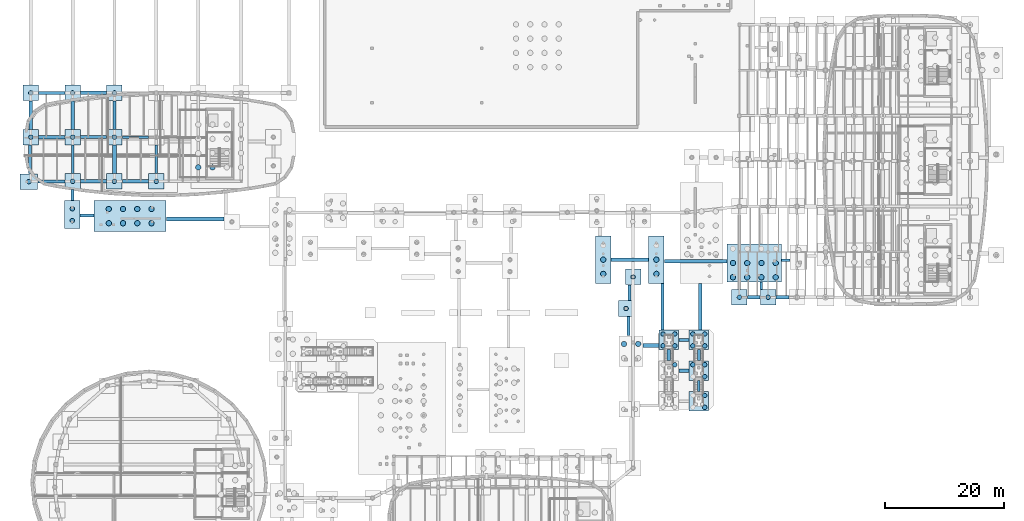
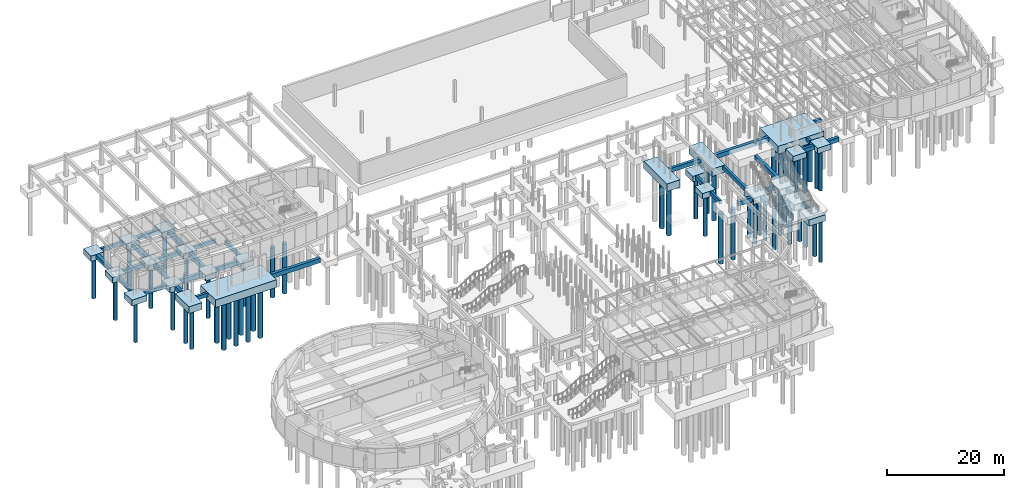
# One storey, part 4 of 45: 57 footings, 54 piles.
"""IFC4 building model written with IfcOpenShell, lengths in metres."""

from ifc_helpers import new_model, si_unit, direction, frame, origin, origin_2d, place, context, subcontext, project, spatial, rectangle, circle, extrude, material, material_profile, profile_set, type_object, element, save


model = new_model("IFC4")

# Units and contexts
model_context = context("Model", 3, precision=1e-05, world=origin(), true_north=direction((0.0, 1.0)))
body_context = subcontext(model_context, "Body", "Model", "MODEL_VIEW")
ifc_project = project(units=[si_unit("LENGTHUNIT", "METRE"), si_unit("AREAUNIT", "SQUARE_METRE"), si_unit("VOLUMEUNIT", "CUBIC_METRE"), si_unit("PLANEANGLEUNIT", "RADIAN"), si_unit("MASSUNIT", "GRAM", prefix="KILO")], contexts=[model_context])

# Site, building, storey
site_placement = place(None, origin())
site = spatial("IfcSite", under=ifc_project, at=site_placement, CompositionType="ELEMENT")
building_placement = place(site_placement, origin())
building = spatial("IfcBuilding", under=site, at=building_placement, Name="Corveleigh Park Community Centre", CompositionType="ELEMENT")
storey_placement = place(building_placement, frame((0.0, 0.0, -4.199951171875)))
storey = spatial("IfcBuildingStorey", under=building, at=storey_placement, Name="B1", CompositionType="ELEMENT", Elevation=-4.199951171875)

# Footings
ifc_material_1 = material(Name="Concrete C40/50", Category="concrete")
footing_type_1 = type_object("IfcFootingType", Name="FTG-GB-450x750", PredefinedType="FOOTING_BEAM", material=ifc_material_1)
footing_1_placement = place(storey_placement, frame((14.625, 77.97900390625, -1.1650390625), z_axis=(0.0, 0.0, 1.0), x_axis=(1.0, 0.0, 0.0)))
element("IfcFooting", 1, at=footing_1_placement, inside=storey, type_object=footing_type_1, Name="Ground tie beam 1", PredefinedType="FOOTING_BEAM", context=body_context, shape_type="SweptSolid", body=[
    extrude(rectangle(XDim=4.510009765625, YDim=0.449951171875, at=origin_2d()), origin(), (0.0, 0.0, 1.0), 0.75),
])
footing_2_placement = place(storey_placement, frame((14.699951171875, 92.800048828125, -1.1650390625), z_axis=(0.0, 0.0, 1.0), x_axis=(1.0, 0.0, 0.0)))
element("IfcFooting", 2, at=footing_2_placement, inside=storey, type_object=footing_type_1, Name="Ground tie beam 5", PredefinedType="FOOTING_BEAM", context=body_context, shape_type="SweptSolid", body=[
    extrude(rectangle(XDim=4.360107421875, YDim=0.449951171875, at=origin_2d()), origin(), (0.0, 0.0, 1.0), 0.75),
])
footing_3_placement = place(storey_placement, frame((18.199951171875, 81.699951171875, -1.1650390625), z_axis=(0.0, 0.0, 1.0), x_axis=(1.0, 0.0, 0.0)))
element("IfcFooting", 3, at=footing_3_placement, inside=storey, type_object=footing_type_1, Name="Ground tie beam 17", PredefinedType="FOOTING_BEAM", context=body_context, shape_type="SweptSolid", body=[
    extrude(rectangle(XDim=0.449951171875, YDim=4.760009765625, at=origin_2d()), origin(), (0.0, 0.0, 1.0), 0.75),
])
footing_4_placement = place(storey_placement, frame((28.699951171875, 85.39990234375, -1.1650390625), z_axis=(0.0, 0.0, 1.0), x_axis=(1.0, 0.0, 0.0)))
element("IfcFooting", 4, at=footing_4_placement, inside=storey, type_object=footing_type_1, Name="Ground tie beam 29", PredefinedType="FOOTING_BEAM", context=body_context, shape_type="SweptSolid", body=[
    extrude(rectangle(XDim=4.360107421875, YDim=0.449951171875, at=origin_2d()), origin(), (0.0, 0.0, 1.0), 0.75),
])
footing_5_placement = place(storey_placement, frame((32.199951171875, 81.699951171875, -1.1650390625), z_axis=(0.0, 0.0, 1.0), x_axis=(1.0, 0.0, 0.0)))
element("IfcFooting", 5, at=footing_5_placement, inside=storey, type_object=footing_type_1, Name="Ground tie beam 37", PredefinedType="FOOTING_BEAM", context=body_context, shape_type="SweptSolid", body=[
    extrude(rectangle(XDim=0.449951171875, YDim=4.760009765625, at=origin_2d()), origin(), (0.0, 0.0, 1.0), 0.75),
])
footing_6_placement = place(storey_placement, frame((111.24609375, 53.7880859375, -1.1650390625), z_axis=(0.0, 0.0, 1.0), x_axis=(1.0, 0.0, 0.0)))
element("IfcFooting", 6, at=footing_6_placement, inside=storey, type_object=footing_type_1, Name="Ground tie beam 133", PredefinedType="FOOTING_BEAM", context=body_context, shape_type="SweptSolid", body=[
    extrude(rectangle(XDim=0.449951171875, YDim=3.236083984375, at=origin_2d()), origin(), (0.0, 0.0, 1.0), 0.75),
])
footing_7_placement = place(storey_placement, frame((120.5, 51.465087890625, -1.1650390625), z_axis=(0.0, 0.0, 1.0), x_axis=(1.0, 0.0, 0.0)))
element("IfcFooting", 7, at=footing_7_placement, inside=storey, type_object=footing_type_1, Name="Ground tie beam 141", PredefinedType="FOOTING_BEAM", context=body_context, shape_type="SweptSolid", body=[
    extrude(rectangle(XDim=1.699951171875, YDim=0.449951171875, at=origin_2d()), origin(), (0.0, 0.0, 1.0), 0.75),
])
footing_8_placement = place(storey_placement, frame((123.0, 43.739990234375, -1.1650390625), z_axis=(0.0, 0.0, 1.0), x_axis=(1.0, 0.0, 0.0)))
element("IfcFooting", 8, at=footing_8_placement, inside=storey, type_object=footing_type_1, Name="Ground tie beam 145", PredefinedType="FOOTING_BEAM", context=body_context, shape_type="SweptSolid", body=[
    extrude(rectangle(XDim=0.449951171875, YDim=1.840087890625, at=origin_2d()), origin(), (0.0, 0.0, 1.0), 0.75),
])
footing_9_placement = place(storey_placement, frame((137.537109375, 64.822021484375, -1.1650390625), z_axis=(0.0, 0.0, 1.0), x_axis=(1.0, 0.0, 0.0)))
element("IfcFooting", 9, at=footing_9_placement, inside=storey, type_object=footing_type_1, Name="Ground tie beam 149", PredefinedType="FOOTING_BEAM", context=body_context, shape_type="SweptSolid", body=[
    extrude(rectangle(XDim=1.386962890625, YDim=0.449951171875, at=origin_2d()), origin(), (0.0, 0.0, 1.0), 0.75),
])
footing_10_placement = place(storey_placement, frame((133.445068359375, 60.531982421875, -1.1650390625), z_axis=(0.0, 0.0, 1.0), x_axis=(1.0, 0.0, 0.0)))
element("IfcFooting", 10, at=footing_10_placement, inside=storey, type_object=footing_type_1, Name="Ground tie beam 157", PredefinedType="FOOTING_BEAM", context=body_context, shape_type="SweptSolid", body=[
    extrude(rectangle(XDim=0.449951171875, YDim=1.22412109375, at=origin_2d()), origin(), (0.0, 0.0, 1.0), 0.75),
])
footing_type_2 = type_object("IfcFootingType", Name="FTG-GB-500x800", PredefinedType="FOOTING_BEAM", material=ifc_material_1)
footing_11_placement = place(storey_placement, frame((11.034912109375, 81.678955078125, -1.21484375), z_axis=(0.0, 0.0, 1.0), x_axis=(1.0, 0.0, 0.0)))
element("IfcFooting", 11, at=footing_11_placement, inside=storey, type_object=footing_type_2, Name="Ground tie beam 2", PredefinedType="FOOTING_BEAM", context=body_context, shape_type="SweptSolid", body=[
    extrude(rectangle(XDim=0.5, YDim=4.802001953125, at=origin_2d()), origin(), (0.0, 0.0, 1.0), 0.800048828125),
])
footing_12_placement = place(storey_placement, frame((20.6220703125, 72.303955078125, -1.21484375), z_axis=(0.0, 0.0, 1.0), x_axis=(1.0, 0.0, 0.0)))
element("IfcFooting", 12, at=footing_12_placement, inside=storey, type_object=footing_type_2, Name="Ground tie beam 14", PredefinedType="FOOTING_BEAM", context=body_context, shape_type="SweptSolid", body=[
    extrude(rectangle(XDim=2.31591796875, YDim=0.5, at=origin_2d()), origin(), (0.0, 0.0, 1.0), 0.800048828125),
])
footing_13_placement = place(storey_placement, frame((21.699951171875, 85.39990234375, -1.21484375), z_axis=(0.0, 0.0, 1.0), x_axis=(1.0, 0.0, 0.0)))
element("IfcFooting", 13, at=footing_13_placement, inside=storey, type_object=footing_type_2, Name="Ground tie beam 18", PredefinedType="FOOTING_BEAM", context=body_context, shape_type="SweptSolid", body=[
    extrude(rectangle(XDim=4.360107421875, YDim=0.5, at=origin_2d()), origin(), (0.0, 0.0, 1.0), 0.800048828125),
])
footing_14_placement = place(storey_placement, frame((25.199951171875, 89.10009765625, -1.21484375), z_axis=(0.0, 0.0, 1.0), x_axis=(1.0, 0.0, 0.0)))
element("IfcFooting", 14, at=footing_14_placement, inside=storey, type_object=footing_type_2, Name="Ground tie beam 30", PredefinedType="FOOTING_BEAM", context=body_context, shape_type="SweptSolid", body=[
    extrude(rectangle(XDim=0.5, YDim=4.760009765625, at=origin_2d()), origin(), (0.0, 0.0, 1.0), 0.800048828125),
])
footing_15_placement = place(storey_placement, frame((111.4140625, 59.363037109375, -1.21484375), z_axis=(0.0, 0.0, 1.0), x_axis=(1.0, 0.0, 0.0)))
element("IfcFooting", 15, at=footing_15_placement, inside=storey, type_object=footing_type_2, Name="Ground tie beam 134", PredefinedType="FOOTING_BEAM", context=body_context, shape_type="SweptSolid", body=[
    extrude(rectangle(XDim=0.5, YDim=2.634033203125, at=origin_2d()), origin(), (0.0, 0.0, 1.0), 0.800048828125),
])
footing_16_placement = place(storey_placement, frame((116.949951171875, 57.02001953125, -1.21484375), z_axis=(0.0, 0.0, 1.0), x_axis=(1.0, 0.0, 0.0)))
element("IfcFooting", 16, at=footing_16_placement, inside=storey, type_object=footing_type_2, Name="Ground tie beam 142", PredefinedType="FOOTING_BEAM", context=body_context, shape_type="SweptSolid", body=[
    extrude(rectangle(XDim=0.5, YDim=7.820068359375, at=origin_2d()), origin(), (0.0, 0.0, 1.0), 0.800048828125),
])
footing_17_placement = place(storey_placement, frame((123.0, 48.89990234375, -1.21484375), z_axis=(0.0, 0.0, 1.0), x_axis=(1.0, 0.0, 0.0)))
element("IfcFooting", 17, at=footing_17_placement, inside=storey, type_object=footing_type_2, Name="Ground tie beam 146", PredefinedType="FOOTING_BEAM", context=body_context, shape_type="SweptSolid", body=[
    extrude(rectangle(XDim=0.5, YDim=1.840087890625, at=origin_2d()), origin(), (0.0, 0.0, 1.0), 0.800048828125),
])
footing_type_3 = type_object("IfcFootingType", Name="FTG-GB-550x850", PredefinedType="FOOTING_BEAM", material=ifc_material_1)
footing_18_placement = place(storey_placement, frame((14.699951171875, 85.39990234375, -1.26513671875), z_axis=(0.0, 0.0, 1.0), x_axis=(1.0, 0.0, 0.0)))
element("IfcFooting", 18, at=footing_18_placement, inside=storey, type_object=footing_type_3, Name="Ground tie beam 3", PredefinedType="FOOTING_BEAM", context=body_context, shape_type="SweptSolid", body=[
    extrude(rectangle(XDim=4.360107421875, YDim=0.550048828125, at=origin_2d()), origin(), (0.0, 0.0, 1.0), 0.85009765625),
])
footing_19_placement = place(storey_placement, frame((18.172119140625, 75.736083984375, -1.26513671875), z_axis=(0.0, 0.0, 1.0), x_axis=(1.0, 0.0, 0.0)))
element("IfcFooting", 19, at=footing_19_placement, inside=storey, type_object=footing_type_3, Name="Ground tie beam 15", PredefinedType="FOOTING_BEAM", context=body_context, shape_type="SweptSolid", body=[
    extrude(rectangle(XDim=0.550048828125, YDim=1.888916015625, at=origin_2d()), origin(), (0.0, 0.0, 1.0), 0.85009765625),
])
footing_20_placement = place(storey_placement, frame((18.199951171875, 89.10009765625, -1.26513671875), z_axis=(0.0, 0.0, 1.0), x_axis=(1.0, 0.0, 0.0)))
element("IfcFooting", 20, at=footing_20_placement, inside=storey, type_object=footing_type_3, Name="Ground tie beam 19", PredefinedType="FOOTING_BEAM", context=body_context, shape_type="SweptSolid", body=[
    extrude(rectangle(XDim=0.550048828125, YDim=4.760009765625, at=origin_2d()), origin(), (0.0, 0.0, 1.0), 0.85009765625),
])
footing_21_placement = place(storey_placement, frame((28.699951171875, 78.0, -1.26513671875), z_axis=(0.0, 0.0, 1.0), x_axis=(1.0, 0.0, 0.0)))
element("IfcFooting", 21, at=footing_21_placement, inside=storey, type_object=footing_type_3, Name="Ground tie beam 27", PredefinedType="FOOTING_BEAM", context=body_context, shape_type="SweptSolid", body=[
    extrude(rectangle(XDim=4.360107421875, YDim=0.550048828125, at=origin_2d()), origin(), (0.0, 0.0, 1.0), 0.85009765625),
])
footing_22_placement = place(storey_placement, frame((111.4541015625, 64.89990234375, -1.26513671875), z_axis=(0.0, 0.0, 1.0), x_axis=(1.0, 0.0, 0.0)))
element("IfcFooting", 22, at=footing_22_placement, inside=storey, type_object=footing_type_3, Name="Ground tie beam 127", PredefinedType="FOOTING_BEAM", context=body_context, shape_type="SweptSolid", body=[
    extrude(rectangle(XDim=6.251953125, YDim=0.550048828125, at=origin_2d()), origin(), (0.0, 0.0, 1.0), 0.85009765625),
])
footing_23_placement = place(storey_placement, frame((120.5, 46.320068359375, -1.26513671875), z_axis=(0.0, 0.0, 1.0), x_axis=(1.0, 0.0, 0.0)))
element("IfcFooting", 23, at=footing_23_placement, inside=storey, type_object=footing_type_3, Name="Ground tie beam 139", PredefinedType="FOOTING_BEAM", context=body_context, shape_type="SweptSolid", body=[
    extrude(rectangle(XDim=1.699951171875, YDim=0.550048828125, at=origin_2d()), origin(), (0.0, 0.0, 1.0), 0.85009765625),
])
footing_24_placement = place(storey_placement, frame((123.22412109375, 57.02001953125, -1.26513671875), z_axis=(0.0, 0.0, 1.0), x_axis=(1.0, 0.0, 0.0)))
element("IfcFooting", 24, at=footing_24_placement, inside=storey, type_object=footing_type_3, Name="Ground tie beam 147", PredefinedType="FOOTING_BEAM", context=body_context, shape_type="SweptSolid", body=[
    extrude(rectangle(XDim=0.550048828125, YDim=7.820068359375, at=origin_2d()), origin(), (0.0, 0.0, 1.0), 0.85009765625),
])
footing_25_placement = place(storey_placement, frame((132.199951171875, 58.60009765625, -1.26513671875), z_axis=(0.0, 0.0, 1.0), x_axis=(1.0, 0.0, 0.0)))
element("IfcFooting", 25, at=footing_25_placement, inside=storey, type_object=footing_type_3, Name="Ground tie beam 151", PredefinedType="FOOTING_BEAM", context=body_context, shape_type="SweptSolid", body=[
    extrude(rectangle(XDim=2.159912109375, YDim=0.550048828125, at=origin_2d()), origin(), (0.0, 0.0, 1.0), 0.85009765625),
])
footing_type_4 = type_object("IfcFootingType", Name="FTG-GB-600x900", PredefinedType="FOOTING_BEAM", material=ifc_material_1)
footing_26_placement = place(storey_placement, frame((11.199951171875, 89.10009765625, -1.31494140625), z_axis=(0.0, 0.0, 1.0), x_axis=(1.0, 0.0, 0.0)))
element("IfcFooting", 26, at=footing_26_placement, inside=storey, type_object=footing_type_4, Name="Ground tie beam 4", PredefinedType="FOOTING_BEAM", context=body_context, shape_type="SweptSolid", body=[
    extrude(rectangle(XDim=0.60009765625, YDim=4.760009765625, at=origin_2d()), origin(), (0.0, 0.0, 1.0), 0.89990234375),
])
for number, where, z_axis, x_axis, name in (
    (27, (21.699951171875, 78.0, -1.31494140625), (0.0, 0.0, 1.0), (1.0, 0.0, 0.0), "Ground tie beam 16"),
    (28, (21.699951171875, 92.800048828125, -1.31494140625), (0.0, 0.0, 1.0), (1.0, 0.0, 0.0), "Ground tie beam 20"),
):
    element("IfcFooting", number, at=place(storey_placement, frame(where, z_axis=z_axis, x_axis=x_axis)), inside=storey, type_object=footing_type_4, Name=name, PredefinedType="FOOTING_BEAM", context=body_context, shape_type="SweptSolid", body=[
        extrude(rectangle(XDim=4.360107421875, YDim=0.60009765625, at=origin_2d()), origin(), (0.0, 0.0, 1.0), 0.89990234375),
    ])
footing_27_placement = place(storey_placement, frame((38.7060546875, 71.705078125, -1.31494140625), z_axis=(0.0, 0.0, 1.0), x_axis=(1.0, 0.0, 0.0)))
element("IfcFooting", 29, at=footing_27_placement, inside=storey, type_object=footing_type_4, Name="Ground tie beam 24", PredefinedType="FOOTING_BEAM", context=body_context, shape_type="SweptSolid", body=[
    extrude(rectangle(XDim=9.6708984375, YDim=0.60009765625, at=origin_2d()), origin(), (0.0, 0.0, 1.0), 0.89990234375),
])
footing_28_placement = place(storey_placement, frame((25.199951171875, 81.699951171875, -1.31494140625), z_axis=(0.0, 0.0, 1.0), x_axis=(1.0, 0.0, 0.0)))
element("IfcFooting", 30, at=footing_28_placement, inside=storey, type_object=footing_type_4, Name="Ground tie beam 28", PredefinedType="FOOTING_BEAM", context=body_context, shape_type="SweptSolid", body=[
    extrude(rectangle(XDim=0.60009765625, YDim=4.760009765625, at=origin_2d()), origin(), (0.0, 0.0, 1.0), 0.89990234375),
])
footing_29_placement = place(storey_placement, frame((115.010009765625, 50.531982421875, -1.31494140625), z_axis=(0.0, 0.0, 1.0), x_axis=(1.0, 0.0, 0.0)))
element("IfcFooting", 31, at=footing_29_placement, inside=storey, type_object=footing_type_4, Name="Ground tie beam 132", PredefinedType="FOOTING_BEAM", context=body_context, shape_type="SweptSolid", body=[
    extrude(rectangle(XDim=2.679931640625, YDim=0.60009765625, at=origin_2d()), origin(), (0.0, 0.0, 1.0), 0.89990234375),
])
footing_30_placement = place(storey_placement, frame((122.47900390625, 64.615966796875, -1.31494140625), z_axis=(0.0, 0.0, 1.0), x_axis=(1.0, 0.0, 0.0)))
element("IfcFooting", 32, at=footing_30_placement, inside=storey, type_object=footing_type_4, Name="Ground tie beam 136", PredefinedType="FOOTING_BEAM", context=body_context, shape_type="SweptSolid", body=[
    extrude(rectangle(XDim=10.51806640625, YDim=0.60009765625, at=origin_2d()), origin(), (0.0, 0.0, 1.0), 0.89990234375),
])
footing_31_placement = place(storey_placement, frame((118.0, 48.89990234375, -1.31494140625), z_axis=(0.0, 0.0, 1.0), x_axis=(1.0, 0.0, 0.0)))
element("IfcFooting", 33, at=footing_31_placement, inside=storey, type_object=footing_type_4, Name="Ground tie beam 140", PredefinedType="FOOTING_BEAM", context=body_context, shape_type="SweptSolid", body=[
    extrude(rectangle(XDim=0.60009765625, YDim=1.840087890625, at=origin_2d()), origin(), (0.0, 0.0, 1.0), 0.89990234375),
])
footing_32_placement = place(storey_placement, frame((137.0, 58.60009765625, -1.31494140625), z_axis=(0.0, 0.0, 1.0), x_axis=(1.0, 0.0, 0.0)))
element("IfcFooting", 34, at=footing_32_placement, inside=storey, type_object=footing_type_4, Name="Ground tie beam 156", PredefinedType="FOOTING_BEAM", context=body_context, shape_type="SweptSolid", body=[
    extrude(rectangle(XDim=2.159912109375, YDim=0.60009765625, at=origin_2d()), origin(), (0.0, 0.0, 1.0), 0.89990234375),
])
footing_type_5 = type_object("IfcFootingType", Name="FTG-PC-2600x2600x1150", PredefinedType="PILE_CAP", material=ifc_material_1)
for number, where, z_axis, x_axis, name in (
    (35, (11.199951171875, 85.39990234375, -1.56494140625), (0.0, 0.0, 1.0), (1.0, 0.0, 0.0), "Pile cap 2"),
    (36, (11.199951171875, 92.800048828125, -1.56494140625), (0.0, 0.0, 1.0), (1.0, 0.0, 0.0), "Pile cap 3"),
    (37, (18.199951171875, 78.0, -1.56494140625), (0.0, 0.0, 1.0), (1.0, 0.0, 0.0), "Pile cap 13"),
    (38, (18.199951171875, 85.39990234375, -1.56494140625), (0.0, 0.0, 1.0), (1.0, 0.0, 0.0), "Pile cap 14"),
    (39, (18.199951171875, 92.800048828125, -1.56494140625), (0.0, 0.0, 1.0), (1.0, 0.0, 0.0), "Pile cap 15"),
    (40, (25.199951171875, 78.0, -1.56494140625), (0.0, 0.0, 1.0), (1.0, 0.0, 0.0), "Pile cap 22"),
    (41, (25.199951171875, 85.39990234375, -1.56494140625), (0.0, 0.0, 1.0), (1.0, 0.0, 0.0), "Pile cap 23"),
    (42, (25.199951171875, 92.800048828125, -1.56494140625), (0.0, 0.0, 1.0), (1.0, 0.0, 0.0), "Pile cap 24"),
    (43, (32.199951171875, 78.0, -1.56494140625), (0.0, 0.0, 1.0), (1.0, 0.0, 0.0), "Pile cap 29"),
    (44, (110.827880859375, 56.72607421875, -1.56494140625), (0.0, 0.0, 1.0), (1.0, 0.0, 0.0), "Pile cap 108"),
    (45, (112.0, 62.0, -1.56494140625), (0.0, 0.0, 1.0), (1.0, 0.0, 0.0), "Pile cap 110"),
    (46, (129.800048828125, 58.60009765625, -1.56494140625), (0.0, 0.0, 1.0), (1.0, 0.0, 0.0), "Pile cap 123"),
    (47, (134.60009765625, 58.60009765625, -1.56494140625), (0.0, 0.0, 1.0), (1.0, 0.0, 0.0), "Pile cap 126"),
):
    element("IfcFooting", number, at=place(storey_placement, frame(where, z_axis=z_axis, x_axis=x_axis)), inside=storey, type_object=footing_type_5, Name=name, PredefinedType="PILE_CAP", context=body_context, shape_type="SweptSolid", body=[
        extrude(rectangle(XDim=2.60009765625, YDim=2.60009765625, at=origin_2d()), origin(), (0.0, 0.0, 1.0), 1.14990234375),
    ])
footing_type_6 = type_object("IfcFootingType", Name="FTG-PC-2900x2900x1200", PredefinedType="PILE_CAP", material=ifc_material_1)
footing_33_placement = place(storey_placement, frame((10.8701171875, 77.9580078125, -1.615234375), z_axis=(0.0, 0.0, 1.0), x_axis=(1.0, 0.0, 0.0)))
element("IfcFooting", 48, at=footing_33_placement, inside=storey, type_object=footing_type_6, Name="Pile cap 1", PredefinedType="PILE_CAP", context=body_context, shape_type="SweptSolid", body=[
    extrude(rectangle(XDim=2.9599609375, YDim=2.60009765625, at=origin_2d()), origin(), (0.0, 0.0, 1.0), 1.199951171875),
])
footing_type_7 = type_object("IfcFootingType", Name="FTG-PC-3200x3200x1300", PredefinedType="PILE_CAP", material=ifc_material_1)
for number, where, z_axis, x_axis, name in (
    (49, (118.0, 51.465087890625, -1.71484375), (0.0, 0.0, 1.0), (1.0, 0.0, 0.0), "Pile cap 115"),
    (50, (123.0, 41.175048828125, -1.71484375), (0.0, 0.0, 1.0), (1.0, 0.0, 0.0), "Pile cap 118"),
):
    element("IfcFooting", number, at=place(storey_placement, frame(where, z_axis=z_axis, x_axis=x_axis)), inside=storey, type_object=footing_type_7, Name=name, PredefinedType="PILE_CAP", context=body_context, shape_type="SweptSolid", body=[
        extrude(rectangle(XDim=3.260009765625, YDim=3.25, at=origin_2d()), origin(), (0.0, 0.0, 1.0), 1.300048828125),
    ])
footing_34_placement = place(storey_placement, frame((123.0, 46.320068359375, -1.71484375), z_axis=(0.0, 0.0, 1.0), x_axis=(1.0, 0.0, 0.0)))
element("IfcFooting", 51, at=footing_34_placement, inside=storey, type_object=footing_type_7, Name="Pile cap 119", PredefinedType="PILE_CAP", context=body_context, shape_type="SweptSolid", body=[
    extrude(rectangle(XDim=3.260009765625, YDim=3.280029296875, at=origin_2d()), origin(), (0.0, 0.0, 1.0), 1.300048828125),
])
footing_35_placement = place(storey_placement, frame((123.0, 51.465087890625, -1.71484375), z_axis=(0.0, 0.0, 1.0), x_axis=(1.0, 0.0, 0.0)))
element("IfcFooting", 52, at=footing_35_placement, inside=storey, type_object=footing_type_7, Name="Pile cap 120", PredefinedType="PILE_CAP", context=body_context, shape_type="SweptSolid", body=[
    extrude(rectangle(XDim=3.260009765625, YDim=3.25, at=origin_2d()), origin(), (0.0, 0.0, 1.0), 1.300048828125),
])
footing_type_8 = type_object("IfcFootingType", Name="FTG-PC-4600x3400x1400", PredefinedType="PILE_CAP", material=ifc_material_1)
footing_36_placement = place(storey_placement, frame((18.14404296875, 72.423095703125, -1.81494140625), z_axis=(0.0, 0.0, 1.0), x_axis=(1.0, 0.0, 0.0)))
element("IfcFooting", 53, at=footing_36_placement, inside=storey, type_object=footing_type_8, Name="Pile cap 12", PredefinedType="PILE_CAP", context=body_context, shape_type="SweptSolid", body=[
    extrude(rectangle(XDim=2.60009765625, YDim=4.696044921875, at=origin_2d()), origin(), (0.0, 0.0, 1.0), 1.39990234375),
])
footing_type_9 = type_object("IfcFootingType", Name="FTG-PC-8400x6000x1550", PredefinedType="PILE_CAP", material=ifc_material_1)
for number, where, z_axis, x_axis, name in (
    (54, (107.008056640625, 64.89990234375, -1.96484375), (0.0, 0.0, 1.0), (1.0, 0.0, 0.0), "Pile cap 104"),
    (55, (115.89990234375, 64.89990234375, -1.96484375), (0.0, 0.0, 1.0), (1.0, 0.0, 0.0), "Pile cap 112"),
):
    element("IfcFooting", number, at=place(storey_placement, frame(where, z_axis=z_axis, x_axis=x_axis)), inside=storey, type_object=footing_type_9, Name=name, PredefinedType="PILE_CAP", context=body_context, shape_type="SweptSolid", body=[
        extrude(rectangle(XDim=2.60009765625, YDim=7.89990234375, at=origin_2d()), origin(), (0.0, 0.0, 1.0), 1.550048828125),
    ])
footing_type_10 = type_object("IfcFootingType", Name="FTG-PC-9800x7200x1600", PredefinedType="PILE_CAP", material=ifc_material_1)
footing_37_placement = place(storey_placement, frame((27.824951171875, 72.18505859375, -2.01513671875), z_axis=(0.0, 0.0, 1.0), x_axis=(1.0, 0.0, 0.0)))
element("IfcFooting", 56, at=footing_37_placement, inside=storey, type_object=footing_type_10, Name="Pile cap 19", PredefinedType="PILE_CAP", context=body_context, shape_type="SweptSolid", body=[
    extrude(rectangle(XDim=12.050048828125, YDim=5.1708984375, at=origin_2d()), origin(), (0.0, 0.0, 1.0), 1.60009765625),
])
footing_38_placement = place(storey_placement, frame((132.291015625, 64.33203125, -2.01513671875), z_axis=(0.0, 0.0, 1.0), x_axis=(1.0, 0.0, 0.0)))
element("IfcFooting", 57, at=footing_38_placement, inside=storey, type_object=footing_type_10, Name="Pile cap 122", PredefinedType="PILE_CAP", context=body_context, shape_type="SweptSolid", body=[
    extrude(rectangle(XDim=9.06591796875, YDim=6.3359375, at=origin_2d()), origin(), (0.0, 0.0, 1.0), 1.60009765625),
])

# Piles
ifc_material_2 = material(Name="Concrete C32/40", Category="concrete")
ifc_material_profile_1 = material_profile(ifc_material_2, circle(Radius=0.375, at=origin_2d()), Name="BORED-PILE-750", Category="concrete")
ifc_profile_set_1 = profile_set([ifc_material_profile_1], Name="Concrete C32/40")
pile_type_1 = type_object("IfcPileType", Name="PIL-BRD-750", PredefinedType="BORED", material=ifc_profile_set_1)
pile_placement = place(storey_placement, frame((10.8701171875, 77.9580078125, -1.51513671875), z_axis=(0.0, 0.0, -1.0), x_axis=(1.0, 0.0, 0.0)))
element("IfcPile", 58, at=pile_placement, inside=storey, type_object=pile_type_1, Name="Rotary bored pile C1-1", PredefinedType="BORED", context=body_context, shape_type="SweptSolid", body=[
    extrude(circle(Radius=0.375, at=origin_2d()), origin(), (0.0, 0.0, 1.0), 8.784912109375),
])
for number, where, z_axis, x_axis, name in (
    (59, (11.199951171875, 85.39990234375, -1.465087890625), (0.0, 0.0, -1.0), (1.0, 0.0, 0.0), "Rotary bored pile C2-1"),
    (60, (11.199951171875, 92.800048828125, -1.465087890625), (0.0, 0.0, -1.0), (1.0, 0.0, 0.0), "Rotary bored pile C3-1"),
):
    element("IfcPile", number, at=place(storey_placement, frame(where, z_axis=z_axis, x_axis=x_axis)), inside=storey, type_object=pile_type_1, Name=name, PredefinedType="BORED", context=body_context, shape_type="SweptSolid", body=[
        extrude(circle(Radius=0.375, at=origin_2d()), origin(), (0.0, 0.0, 1.0), 8.8349609375),
    ])
for number, where, z_axis, x_axis, name in (
    (61, (18.14404296875, 71.429931640625, -1.715087890625), (0.0, 0.0, -1.0), (1.0, 0.0, 0.0), "Rotary bored pile C12-1"),
    (62, (18.14404296875, 73.416015625, -1.715087890625), (0.0, 0.0, -1.0), (1.0, 0.0, 0.0), "Rotary bored pile C12-2"),
):
    element("IfcPile", number, at=place(storey_placement, frame(where, z_axis=z_axis, x_axis=x_axis)), inside=storey, type_object=pile_type_1, Name=name, PredefinedType="BORED", context=body_context, shape_type="SweptSolid", body=[
        extrude(circle(Radius=0.375, at=origin_2d()), origin(), (0.0, 0.0, 1.0), 8.5849609375),
    ])
for number, where, z_axis, x_axis, name in (
    (63, (18.199951171875, 78.0, -1.465087890625), (0.0, 0.0, -1.0), (1.0, 0.0, 0.0), "Rotary bored pile C13-1"),
    (64, (18.199951171875, 85.39990234375, -1.465087890625), (0.0, 0.0, -1.0), (1.0, 0.0, 0.0), "Rotary bored pile C14-1"),
    (65, (18.199951171875, 92.800048828125, -1.465087890625), (0.0, 0.0, -1.0), (1.0, 0.0, 0.0), "Rotary bored pile C15-1"),
    (66, (25.199951171875, 78.0, -1.465087890625), (0.0, 0.0, -1.0), (1.0, 0.0, 0.0), "Rotary bored pile C22-1"),
    (67, (25.199951171875, 85.39990234375, -1.465087890625), (0.0, 0.0, -1.0), (1.0, 0.0, 0.0), "Rotary bored pile C23-1"),
    (68, (25.199951171875, 92.800048828125, -1.465087890625), (0.0, 0.0, -1.0), (1.0, 0.0, 0.0), "Rotary bored pile C24-1"),
    (69, (32.199951171875, 78.0, -1.465087890625), (0.0, 0.0, -1.0), (1.0, 0.0, 0.0), "Rotary bored pile C29-1"),
    (70, (110.827880859375, 56.72607421875, -1.465087890625), (0.0, 0.0, -1.0), (1.0, 0.0, 0.0), "Rotary bored pile C108-1"),
    (71, (112.0, 62.0, -1.465087890625), (0.0, 0.0, -1.0), (1.0, 0.0, 0.0), "Rotary bored pile C110-1"),
):
    element("IfcPile", number, at=place(storey_placement, frame(where, z_axis=z_axis, x_axis=x_axis)), inside=storey, type_object=pile_type_1, Name=name, PredefinedType="BORED", context=body_context, shape_type="SweptSolid", body=[
        extrude(circle(Radius=0.375, at=origin_2d()), origin(), (0.0, 0.0, 1.0), 8.8349609375),
    ])
for number, where, z_axis, x_axis, name in (
    (72, (118.992919921875, 47.31396484375, -1.614990234375), (0.0, 0.0, -1.0), (1.0, 0.0, 0.0), "Rotary bored pile C114-4"),
    (73, (117.007080078125, 50.471923828125, -1.614990234375), (0.0, 0.0, -1.0), (1.0, 0.0, 0.0), "Rotary bored pile C115-1"),
    (74, (117.007080078125, 52.458984375, -1.614990234375), (0.0, 0.0, -1.0), (1.0, 0.0, 0.0), "Rotary bored pile C115-2"),
    (75, (118.992919921875, 50.471923828125, -1.614990234375), (0.0, 0.0, -1.0), (1.0, 0.0, 0.0), "Rotary bored pile C115-3"),
    (76, (118.992919921875, 52.458984375, -1.614990234375), (0.0, 0.0, -1.0), (1.0, 0.0, 0.0), "Rotary bored pile C115-4"),
    (77, (123.992919921875, 40.180908203125, -1.614990234375), (0.0, 0.0, -1.0), (1.0, 0.0, 0.0), "Rotary bored pile C118-3"),
    (78, (123.992919921875, 42.1689453125, -1.614990234375), (0.0, 0.0, -1.0), (1.0, 0.0, 0.0), "Rotary bored pile C118-4"),
    (79, (122.007080078125, 47.31396484375, -1.614990234375), (0.0, 0.0, -1.0), (1.0, 0.0, 0.0), "Rotary bored pile C119-2"),
    (80, (123.992919921875, 45.326904296875, -1.614990234375), (0.0, 0.0, -1.0), (1.0, 0.0, 0.0), "Rotary bored pile C119-3"),
    (81, (123.992919921875, 47.31396484375, -1.614990234375), (0.0, 0.0, -1.0), (1.0, 0.0, 0.0), "Rotary bored pile C119-4"),
    (82, (122.007080078125, 50.471923828125, -1.614990234375), (0.0, 0.0, -1.0), (1.0, 0.0, 0.0), "Rotary bored pile C120-1"),
    (83, (122.007080078125, 52.458984375, -1.614990234375), (0.0, 0.0, -1.0), (1.0, 0.0, 0.0), "Rotary bored pile C120-2"),
    (84, (123.992919921875, 50.471923828125, -1.614990234375), (0.0, 0.0, -1.0), (1.0, 0.0, 0.0), "Rotary bored pile C120-3"),
    (85, (123.992919921875, 52.458984375, -1.614990234375), (0.0, 0.0, -1.0), (1.0, 0.0, 0.0), "Rotary bored pile C120-4"),
):
    element("IfcPile", number, at=place(storey_placement, frame(where, z_axis=z_axis, x_axis=x_axis)), inside=storey, type_object=pile_type_1, Name=name, PredefinedType="BORED", context=body_context, shape_type="SweptSolid", body=[
        extrude(circle(Radius=0.375, at=origin_2d()), origin(), (0.0, 0.0, 1.0), 8.68505859375),
    ])
for number, where, z_axis, x_axis, name in (
    (86, (129.800048828125, 58.60009765625, -1.465087890625), (0.0, 0.0, -1.0), (1.0, 0.0, 0.0), "Rotary bored pile C123-1"),
    (87, (134.60009765625, 58.60009765625, -1.465087890625), (0.0, 0.0, -1.0), (1.0, 0.0, 0.0), "Rotary bored pile C126-1"),
):
    element("IfcPile", number, at=place(storey_placement, frame(where, z_axis=z_axis, x_axis=x_axis)), inside=storey, type_object=pile_type_1, Name=name, PredefinedType="BORED", context=body_context, shape_type="SweptSolid", body=[
        extrude(circle(Radius=0.375, at=origin_2d()), origin(), (0.0, 0.0, 1.0), 8.8349609375),
    ])
ifc_material_profile_2 = material_profile(ifc_material_2, circle(Radius=0.449951171875, at=origin_2d()), Name="BORED-PILE-900", Category="concrete")
ifc_profile_set_2 = profile_set([ifc_material_profile_2], Name="Concrete C32/40")
pile_type_2 = type_object("IfcPileType", Name="PIL-BRD-900", PredefinedType="BORED", material=ifc_profile_set_2)
for number, where, z_axis, x_axis, name in (
    (88, (24.2470703125, 70.992919921875, -1.9150390625), (0.0, 0.0, -1.0), (1.0, 0.0, 0.0), "Rotary bored pile C19-1"),
    (89, (24.2470703125, 73.3779296875, -1.9150390625), (0.0, 0.0, -1.0), (1.0, 0.0, 0.0), "Rotary bored pile C19-2"),
    (90, (26.633056640625, 70.992919921875, -1.9150390625), (0.0, 0.0, -1.0), (1.0, 0.0, 0.0), "Rotary bored pile C19-3"),
    (91, (26.633056640625, 73.3779296875, -1.9150390625), (0.0, 0.0, -1.0), (1.0, 0.0, 0.0), "Rotary bored pile C19-4"),
    (92, (29.01708984375, 70.992919921875, -1.9150390625), (0.0, 0.0, -1.0), (1.0, 0.0, 0.0), "Rotary bored pile C19-5"),
    (93, (29.01708984375, 73.3779296875, -1.9150390625), (0.0, 0.0, -1.0), (1.0, 0.0, 0.0), "Rotary bored pile C19-6"),
    (94, (31.402099609375, 70.992919921875, -1.9150390625), (0.0, 0.0, -1.0), (1.0, 0.0, 0.0), "Rotary bored pile C19-7"),
    (95, (31.402099609375, 73.3779296875, -1.9150390625), (0.0, 0.0, -1.0), (1.0, 0.0, 0.0), "Rotary bored pile C19-8"),
    (96, (39.221923828125, 80.346923828125, -1.9150390625), (0.0, 0.0, -1.0), (1.0, 0.0, 0.0), "Rotary bored pile C36-1"),
    (97, (41.60693359375, 80.346923828125, -1.9150390625), (0.0, 0.0, -1.0), (1.0, 0.0, 0.0), "Rotary bored pile C36-5"),
):
    element("IfcPile", number, at=place(storey_placement, frame(where, z_axis=z_axis, x_axis=x_axis)), inside=storey, type_object=pile_type_2, Name=name, PredefinedType="BORED", context=body_context, shape_type="SweptSolid", body=[
        extrude(circle(Radius=0.449951171875, at=origin_2d()), origin(), (0.0, 0.0, 1.0), 10.385009765625),
    ])
for number, where, z_axis, x_axis, name in (
    (98, (107.008056640625, 62.514892578125, -1.864990234375), (0.0, 0.0, -1.0), (1.0, 0.0, 0.0), "Rotary bored pile C104-1"),
    (99, (107.008056640625, 64.89990234375, -1.864990234375), (0.0, 0.0, -1.0), (1.0, 0.0, 0.0), "Rotary bored pile C104-2"),
):
    element("IfcPile", number, at=place(storey_placement, frame(where, z_axis=z_axis, x_axis=x_axis)), inside=storey, type_object=pile_type_2, Name=name, PredefinedType="BORED", context=body_context, shape_type="SweptSolid", body=[
        extrude(circle(Radius=0.449951171875, at=origin_2d()), origin(), (0.0, 0.0, 1.0), 10.43505859375),
    ])
for number, where, z_axis, x_axis, name in (
    (100, (110.471923828125, 50.7919921875, -1.76513671875), (0.0, 0.0, -1.0), (1.0, 0.0, 0.0), "Rotary bored pile C107-2"),
    (101, (112.85693359375, 50.7919921875, -1.76513671875), (0.0, 0.0, -1.0), (1.0, 0.0, 0.0), "Rotary bored pile C107-4"),
):
    element("IfcPile", number, at=place(storey_placement, frame(where, z_axis=z_axis, x_axis=x_axis)), inside=storey, type_object=pile_type_2, Name=name, PredefinedType="BORED", context=body_context, shape_type="SweptSolid", body=[
        extrude(circle(Radius=0.449951171875, at=origin_2d()), origin(), (0.0, 0.0, 1.0), 10.534912109375),
    ])
for number, where, z_axis, x_axis, name in (
    (102, (115.89990234375, 62.514892578125, -1.864990234375), (0.0, 0.0, -1.0), (1.0, 0.0, 0.0), "Rotary bored pile C112-1"),
    (103, (115.89990234375, 64.89990234375, -1.864990234375), (0.0, 0.0, -1.0), (1.0, 0.0, 0.0), "Rotary bored pile C112-2"),
):
    element("IfcPile", number, at=place(storey_placement, frame(where, z_axis=z_axis, x_axis=x_axis)), inside=storey, type_object=pile_type_2, Name=name, PredefinedType="BORED", context=body_context, shape_type="SweptSolid", body=[
        extrude(circle(Radius=0.449951171875, at=origin_2d()), origin(), (0.0, 0.0, 1.0), 10.43505859375),
    ])
for number, where, z_axis, x_axis, name in (
    (104, (128.714111328125, 61.947021484375, -1.9150390625), (0.0, 0.0, -1.0), (1.0, 0.0, 0.0), "Rotary bored pile C122-1"),
    (105, (128.714111328125, 64.33203125, -1.9150390625), (0.0, 0.0, -1.0), (1.0, 0.0, 0.0), "Rotary bored pile C122-2"),
    (106, (131.09912109375, 61.947021484375, -1.9150390625), (0.0, 0.0, -1.0), (1.0, 0.0, 0.0), "Rotary bored pile C122-4"),
    (107, (131.09912109375, 64.33203125, -1.9150390625), (0.0, 0.0, -1.0), (1.0, 0.0, 0.0), "Rotary bored pile C122-5"),
    (108, (133.48388671875, 61.947021484375, -1.9150390625), (0.0, 0.0, -1.0), (1.0, 0.0, 0.0), "Rotary bored pile C122-7"),
    (109, (133.48388671875, 64.33203125, -1.9150390625), (0.0, 0.0, -1.0), (1.0, 0.0, 0.0), "Rotary bored pile C122-8"),
    (110, (135.868896484375, 61.947021484375, -1.9150390625), (0.0, 0.0, -1.0), (1.0, 0.0, 0.0), "Rotary bored pile C122-10"),
    (111, (135.868896484375, 64.33203125, -1.9150390625), (0.0, 0.0, -1.0), (1.0, 0.0, 0.0), "Rotary bored pile C122-11"),
):
    element("IfcPile", number, at=place(storey_placement, frame(where, z_axis=z_axis, x_axis=x_axis)), inside=storey, type_object=pile_type_2, Name=name, PredefinedType="BORED", context=body_context, shape_type="SweptSolid", body=[
        extrude(circle(Radius=0.449951171875, at=origin_2d()), origin(), (0.0, 0.0, 1.0), 10.385009765625),
    ])

save(model, "model.ifc")
